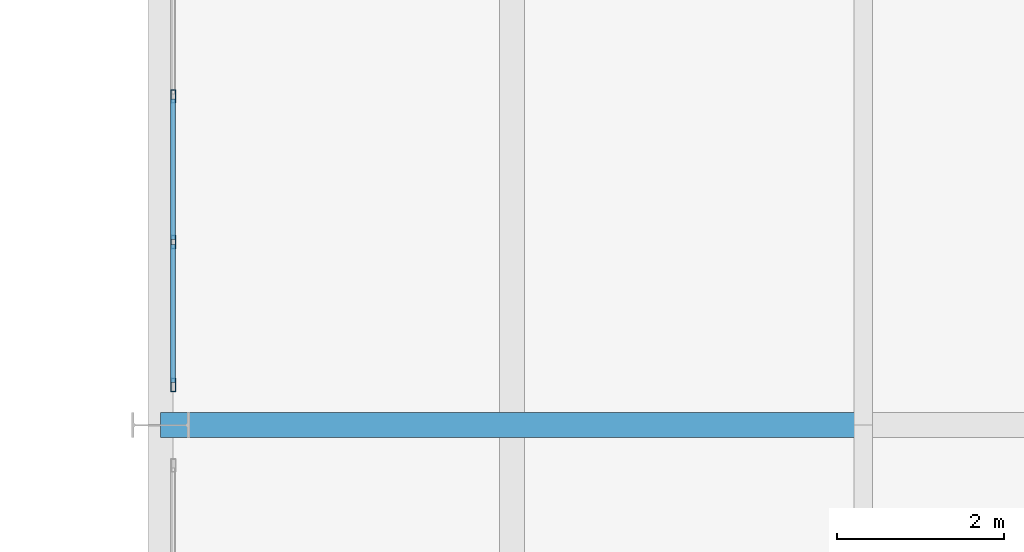
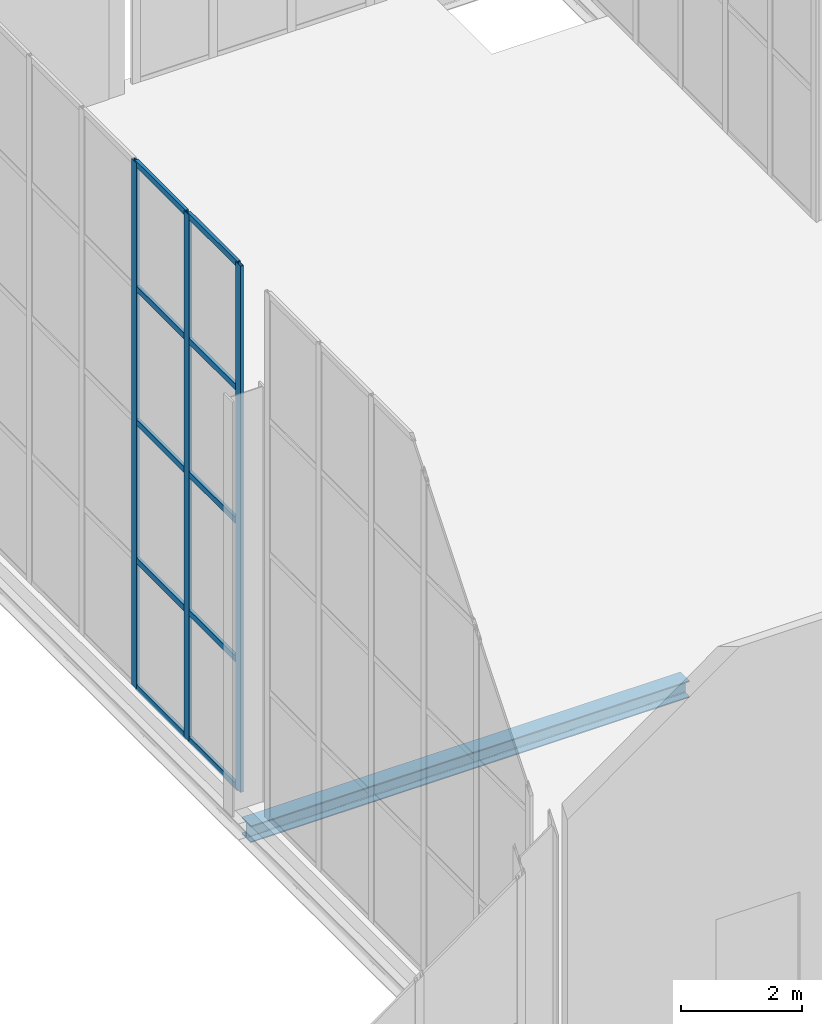
# One storey, part 47 of 131: 13 members, 1 beam, 1 element without a shape of its own.
"""IFC4 building model written with IfcOpenShell, lengths in metres."""

from ifc_helpers import new_model, si_unit, direction, frame, origin, origin_2d, place, context, subcontext, project, spatial, hollow_rectangle, i_section, extrude, material, material_profile, profile_set, type_object, element, aggregate, save


model = new_model("IFC4")

# Units and contexts
model_context = context("Model", 3, precision=1e-05, world=origin(), true_north=direction((0.0, 1.0)))
body_context = subcontext(model_context, "Body", "Model", "MODEL_VIEW")
ifc_project = project(units=[si_unit("LENGTHUNIT", "METRE"), si_unit("AREAUNIT", "SQUARE_METRE"), si_unit("VOLUMEUNIT", "CUBIC_METRE"), si_unit("PLANEANGLEUNIT", "RADIAN"), si_unit("MASSUNIT", "GRAM", prefix="KILO")], contexts=[model_context])

# Site, building, storey
site_placement = place(None, origin())
site = spatial("IfcSite", under=ifc_project, at=site_placement, CompositionType="ELEMENT")
building_placement = place(site_placement, origin())
building = spatial("IfcBuilding", under=site, at=building_placement, Name="Veltarok Museum of Natural Sciences", CompositionType="ELEMENT")
storey_placement = place(building_placement, origin())
storey = spatial("IfcBuildingStorey", under=building, at=storey_placement, Name="L00", CompositionType="ELEMENT", Elevation=0.0)

# Curtain wall, members
ifc_material_1 = material(Name="Low-iron triple insulated glass", Category="glass")
curtain_wall_type = type_object("IfcCurtainWallType", Name="Curtain Wall System CW-PAS-NW-JK-870x1065 (Sculpture Court Passage J-K 870x1065cm)", PredefinedType="NOTDEFINED", material=ifc_material_1)
curtain_wall_placement = place(storey_placement, origin())
curtain_wall = element("IfcCurtainWall", 1, at=curtain_wall_placement, inside=storey, type_object=curtain_wall_type, Name="Curtain Wall CW-PAS-NW-JK-870x1065 CW-0025", PredefinedType="NOTDEFINED")
ifc_material_2 = material(Name="Thermally broken anodised aluminium", Category="aluminium")
ifc_material_profile_1 = material_profile(ifc_material_2, hollow_rectangle(XDim=0.06005859375, YDim=0.1201171875, WallThickness=0.0048828125, at=origin_2d()), Name="CW TRANSOM 60x120x5")
ifc_profile_set_1 = profile_set([ifc_material_profile_1], Name="Thermally broken anodised aluminium")
member_type_1 = type_object("IfcMemberType", Name="Curtain Wall Horizontal Transom 60x120x5", PredefinedType="USERDEFINED", material=ifc_profile_set_1)
member_1_placement = place(storey_placement, frame((31.75, 82.110107421875, 0.030029296875), z_axis=(0.0, 1.0, 0.0), x_axis=(-1.0, 0.0, 0.0)))
member_1 = element("IfcMember", 2, at=member_1_placement, type_object=member_type_1, Name="CW-PAS-NW-JK-870x1065 transom 1.1", ObjectType="TRANSOM", PredefinedType="USERDEFINED", context=body_context, shape_type="SweptSolid", body=[
    extrude(hollow_rectangle(XDim=0.06005859375, YDim=0.1201171875, WallThickness=0.0048828125, at=origin_2d()), origin(), (0.0, 0.0, 1.0), 1.64990234375),
])
member_2_placement = place(storey_placement, frame((31.75, 82.110107421875, 2.60009765625), z_axis=(0.0, 1.0, 0.0), x_axis=(-1.0, 0.0, 0.0)))
member_2 = element("IfcMember", 3, at=member_2_placement, type_object=member_type_1, Name="CW-PAS-NW-JK-870x1065 transom 1.2", ObjectType="TRANSOM", PredefinedType="USERDEFINED", context=body_context, shape_type="SweptSolid", body=[
    extrude(hollow_rectangle(XDim=0.06005859375, YDim=0.1201171875, WallThickness=0.0048828125, at=origin_2d()), origin(), (0.0, 0.0, 1.0), 1.64990234375),
])
member_3_placement = place(storey_placement, frame((31.75, 82.110107421875, 5.39990234375), z_axis=(0.0, 1.0, 0.0), x_axis=(-1.0, 0.0, 0.0)))
member_3 = element("IfcMember", 4, at=member_3_placement, type_object=member_type_1, Name="CW-PAS-NW-JK-870x1065 transom 1.3", ObjectType="TRANSOM", PredefinedType="USERDEFINED", context=body_context, shape_type="SweptSolid", body=[
    extrude(hollow_rectangle(XDim=0.06005859375, YDim=0.1201171875, WallThickness=0.0048828125, at=origin_2d()), origin(), (0.0, 0.0, 1.0), 1.64990234375),
])
member_4_placement = place(storey_placement, frame((31.75, 82.110107421875, 8.10009765625), z_axis=(0.0, 1.0, 0.0), x_axis=(-1.0, 0.0, 0.0)))
member_4 = element("IfcMember", 5, at=member_4_placement, type_object=member_type_1, Name="CW-PAS-NW-JK-870x1065 transom 1.4", ObjectType="TRANSOM", PredefinedType="USERDEFINED", context=body_context, shape_type="SweptSolid", body=[
    extrude(hollow_rectangle(XDim=0.06005859375, YDim=0.1201171875, WallThickness=0.0048828125, at=origin_2d()), origin(), (0.0, 0.0, 1.0), 1.64990234375),
])
member_5_placement = place(storey_placement, frame((31.75, 82.110107421875, 10.6201171875), z_axis=(0.0, 1.0, 0.0), x_axis=(-1.0, 0.0, 0.0)))
member_5 = element("IfcMember", 6, at=member_5_placement, type_object=member_type_1, Name="CW-PAS-NW-JK-870x1065 transom 1.5", ObjectType="TRANSOM", PredefinedType="USERDEFINED", context=body_context, shape_type="SweptSolid", body=[
    extrude(hollow_rectangle(XDim=0.06005859375, YDim=0.1201171875, WallThickness=0.0048828125, at=origin_2d()), origin(), (0.0, 0.0, 1.0), 1.64990234375),
])
member_6_placement = place(storey_placement, frame((31.75, 83.820068359375, 0.030029296875), z_axis=(0.0, 1.0, 0.0), x_axis=(-1.0, 0.0, 0.0)))
member_6 = element("IfcMember", 7, at=member_6_placement, type_object=member_type_1, Name="CW-PAS-NW-JK-870x1065 transom 2.1", ObjectType="TRANSOM", PredefinedType="USERDEFINED", context=body_context, shape_type="SweptSolid", body=[
    extrude(hollow_rectangle(XDim=0.06005859375, YDim=0.1201171875, WallThickness=0.0048828125, at=origin_2d()), origin(), (0.0, 0.0, 1.0), 1.679931640625),
])
member_7_placement = place(storey_placement, frame((31.75, 83.820068359375, 2.60009765625), z_axis=(0.0, 1.0, 0.0), x_axis=(-1.0, 0.0, 0.0)))
member_7 = element("IfcMember", 8, at=member_7_placement, type_object=member_type_1, Name="CW-PAS-NW-JK-870x1065 transom 2.2", ObjectType="TRANSOM", PredefinedType="USERDEFINED", context=body_context, shape_type="SweptSolid", body=[
    extrude(hollow_rectangle(XDim=0.06005859375, YDim=0.1201171875, WallThickness=0.0048828125, at=origin_2d()), origin(), (0.0, 0.0, 1.0), 1.679931640625),
])
member_8_placement = place(storey_placement, frame((31.75, 83.820068359375, 5.39990234375), z_axis=(0.0, 1.0, 0.0), x_axis=(-1.0, 0.0, 0.0)))
member_8 = element("IfcMember", 9, at=member_8_placement, type_object=member_type_1, Name="CW-PAS-NW-JK-870x1065 transom 2.3", ObjectType="TRANSOM", PredefinedType="USERDEFINED", context=body_context, shape_type="SweptSolid", body=[
    extrude(hollow_rectangle(XDim=0.06005859375, YDim=0.1201171875, WallThickness=0.0048828125, at=origin_2d()), origin(), (0.0, 0.0, 1.0), 1.679931640625),
])
member_9_placement = place(storey_placement, frame((31.75, 83.820068359375, 8.10009765625), z_axis=(0.0, 1.0, 0.0), x_axis=(-1.0, 0.0, 0.0)))
member_9 = element("IfcMember", 10, at=member_9_placement, type_object=member_type_1, Name="CW-PAS-NW-JK-870x1065 transom 2.4", ObjectType="TRANSOM", PredefinedType="USERDEFINED", context=body_context, shape_type="SweptSolid", body=[
    extrude(hollow_rectangle(XDim=0.06005859375, YDim=0.1201171875, WallThickness=0.0048828125, at=origin_2d()), origin(), (0.0, 0.0, 1.0), 1.679931640625),
])
member_10_placement = place(storey_placement, frame((31.75, 83.820068359375, 10.6201171875), z_axis=(0.0, 1.0, 0.0), x_axis=(-1.0, 0.0, 0.0)))
member_10 = element("IfcMember", 11, at=member_10_placement, type_object=member_type_1, Name="CW-PAS-NW-JK-870x1065 transom 2.5", ObjectType="TRANSOM", PredefinedType="USERDEFINED", context=body_context, shape_type="SweptSolid", body=[
    extrude(hollow_rectangle(XDim=0.06005859375, YDim=0.1201171875, WallThickness=0.0048828125, at=origin_2d()), origin(), (0.0, 0.0, 1.0), 1.679931640625),
])
ifc_material_profile_2 = material_profile(ifc_material_2, hollow_rectangle(XDim=0.06005859375, YDim=0.159912109375, WallThickness=0.0048828125, at=origin_2d()), Name="CW MULLION 60x160x5")
ifc_profile_set_2 = profile_set([ifc_material_profile_2], Name="Thermally broken anodised aluminium")
member_type_2 = type_object("IfcMemberType", Name="Curtain Wall Vertical Mullion 60x160x5", PredefinedType="MULLION", material=ifc_profile_set_2)
member_11_placement = place(storey_placement, frame((31.75, 82.080078125, 0.0), z_axis=(0.0, 0.0, 1.0), x_axis=(-1.0, 0.0, 0.0)))
member_11 = element("IfcMember", 12, at=member_11_placement, type_object=member_type_2, Name="CW-PAS-NW-JK-870x1065 mullion 1", PredefinedType="MULLION", context=body_context, shape_type="SweptSolid", body=[
    extrude(hollow_rectangle(XDim=0.06005859375, YDim=0.159912109375, WallThickness=0.0048828125, at=origin_2d()), origin(), (0.0, 0.0, 1.0), 10.64990234375),
])
member_12_placement = place(storey_placement, frame((31.75, 83.7900390625, 0.0), z_axis=(0.0, 0.0, 1.0), x_axis=(-1.0, 0.0, 0.0)))
member_12 = element("IfcMember", 13, at=member_12_placement, type_object=member_type_2, Name="CW-PAS-NW-JK-870x1065 mullion 2", PredefinedType="MULLION", context=body_context, shape_type="SweptSolid", body=[
    extrude(hollow_rectangle(XDim=0.06005859375, YDim=0.159912109375, WallThickness=0.0048828125, at=origin_2d()), origin(), (0.0, 0.0, 1.0), 10.64990234375),
])
member_13_placement = place(storey_placement, frame((31.75, 85.530029296875, 0.0), z_axis=(0.0, 0.0, 1.0), x_axis=(-1.0, 0.0, 0.0)))
member_13 = element("IfcMember", 14, at=member_13_placement, type_object=member_type_2, Name="CW-PAS-NW-JK-870x1065 mullion 3", PredefinedType="MULLION", context=body_context, shape_type="SweptSolid", body=[
    extrude(hollow_rectangle(XDim=0.06005859375, YDim=0.159912109375, WallThickness=0.0048828125, at=origin_2d()), origin(), (0.0, 0.0, 1.0), 10.64990234375),
])
aggregate(curtain_wall, [member_11, member_12, member_13, member_1, member_2, member_3, member_4, member_5, member_6, member_7, member_8, member_9, member_10])

# Beam
ifc_material_3 = material(Name="Steel S355J2", Category="steel")
ifc_material_profile_3 = material_profile(ifc_material_3, i_section(OverallWidth=0.300048828125, OverallDepth=0.340087890625, WebThickness=0.011962890625, FlangeThickness=0.021484375, FilletRadius=0.027099609375, at=origin_2d()), Name="HEB 340")
ifc_profile_set_3 = profile_set([ifc_material_profile_3], Name="Steel S355J2")
beam_type = type_object("IfcBeamType", Name="Perimeter Bridge Spandrel HEB 340", PredefinedType="SPANDREL", material=ifc_profile_set_3)
beam_placement = place(storey_placement, frame((31.60009765625, 81.60009765625, -0.469970703125), z_axis=(1.0, 0.0, 0.0), x_axis=(0.0, 1.0, 0.0)))
element("IfcBeam", 15, at=beam_placement, inside=storey, type_object=beam_type, Name="Beam BM-SP07 L00 4-5/J", PredefinedType="SPANDREL", context=body_context, shape_type="SweptSolid", body=[
    extrude(i_section(OverallWidth=0.300048828125, OverallDepth=0.340087890625, WebThickness=0.011962890625, FlangeThickness=0.021484375, FilletRadius=0.027099609375, at=origin_2d()), origin(), (0.0, 0.0, 1.0), 8.39990234375),
])

save(model, "model.ifc")
